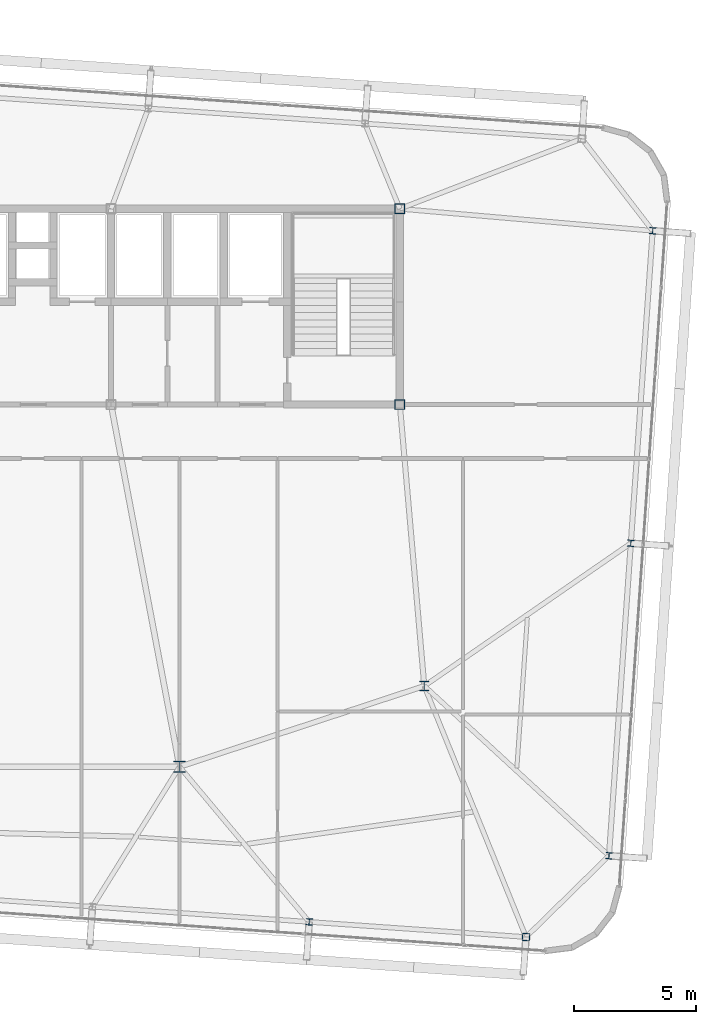
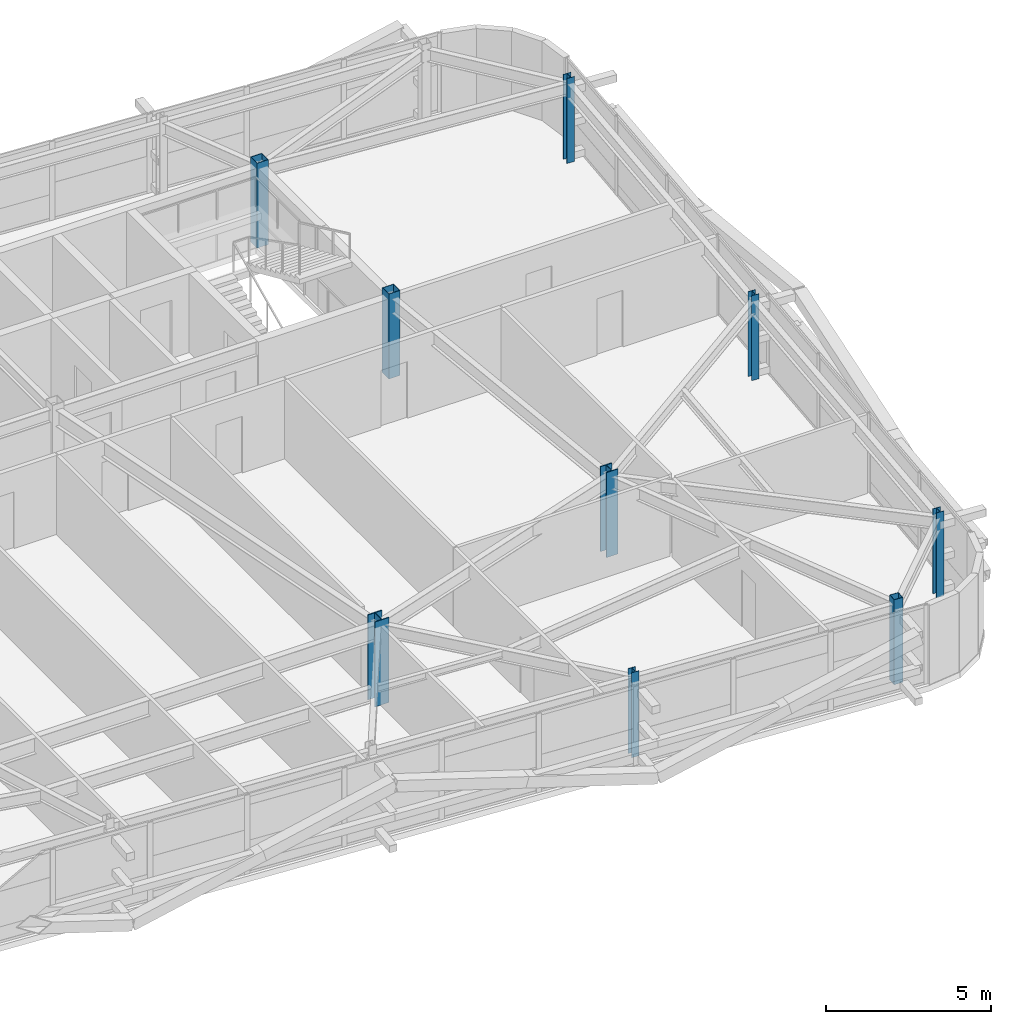
# One storey, part 3 of 47: 9 columns.
"""IFC4 building model written with IfcOpenShell, lengths in metres."""

from ifc_helpers import new_model, si_unit, direction, frame, origin, origin_2d, place, context, subcontext, project, spatial, hollow_rectangle, i_section, extrude, source, transform, mapped, material, material_profile, profile_set, type_object, element, save


model = new_model("IFC4")

# Units and contexts
model_context = context("Model", 3, precision=1e-05, world=origin(), true_north=direction((0.0, 1.0)))
body_context = subcontext(model_context, "Body", "Model", "MODEL_VIEW")
ifc_project = project(units=[si_unit("LENGTHUNIT", "METRE"), si_unit("AREAUNIT", "SQUARE_METRE"), si_unit("VOLUMEUNIT", "CUBIC_METRE"), si_unit("PLANEANGLEUNIT", "RADIAN"), si_unit("MASSUNIT", "GRAM", prefix="KILO")], contexts=[model_context])

# Site, building, storey
site_placement = place(None, origin())
site = spatial("IfcSite", under=ifc_project, at=site_placement, CompositionType="ELEMENT")
building_placement = place(site_placement, origin())
building = spatial("IfcBuilding", under=site, at=building_placement, Name="Taldren Reach Tower", CompositionType="ELEMENT")
storey_placement = place(building_placement, frame((0.0, 0.0, 139.300048828125)))
storey = spatial("IfcBuildingStorey", under=building, at=storey_placement, Name="L42", CompositionType="ELEMENT", Elevation=139.300048828125)

# Columns
ifc_material_1 = material(Name="Steel Gr 350 (350PLUS)", Category="steel")
ifc_material_profile_1 = material_profile(ifc_material_1, i_section(OverallWidth=0.39990234375, OverallDepth=0.39599609375, WebThickness=0.02197265625, FlangeThickness=0.033935546875, at=origin_2d()), Name="400WC270")
ifc_profile_set_1 = profile_set([ifc_material_profile_1], Name="Steel Gr 350 (350PLUS)")
column_type_1 = type_object("IfcColumnType", Name="COL-WC400", PredefinedType="COLUMN", material=ifc_profile_set_1)
shared_shape_1 = source(origin(), body_context, "Body", "SweptSolid", [
    extrude(i_section(OverallWidth=0.39990234375, OverallDepth=0.39599609375, WebThickness=0.02197265625, FlangeThickness=0.033935546875, at=origin_2d()), origin(), (0.0, 0.0, 1.0), 3.14990234375),
])
column_1_placement = place(storey_placement, frame((52.0, 12.5, 0.0), z_axis=(0.0, 0.0, 1.0), x_axis=(1.0, 0.0, 0.0)))
element("IfcColumn", 1, at=column_1_placement, inside=storey, type_object=column_type_1, Name="Mega column MC-SE L42", PredefinedType="COLUMN", context=body_context, shape_type="MappedRepresentation", body=[
    mapped(shared_shape_1, transform((0.0, 0.0, 0.0), scale=1.0)),
])
ifc_material_profile_2 = material_profile(ifc_material_1, i_section(OverallWidth=0.5, OverallDepth=0.464111328125, WebThickness=0.02197265625, FlangeThickness=0.033935546875, at=origin_2d()), Name="500WC340")
ifc_profile_set_2 = profile_set([ifc_material_profile_2], Name="Steel Gr 350 (350PLUS)")
column_type_2 = type_object("IfcColumnType", Name="COL-WC500B", PredefinedType="COLUMN", material=ifc_profile_set_2)
shared_shape_2 = source(origin(), body_context, "Body", "SweptSolid", [
    extrude(i_section(OverallWidth=0.5, OverallDepth=0.464111328125, WebThickness=0.02197265625, FlangeThickness=0.033935546875, at=origin_2d()), origin(), (0.0, 0.0, 1.0), 3.14990234375),
])
column_2_placement = place(storey_placement, frame((42.0, 9.199951171875, 0.0), z_axis=(0.0, 0.0, 1.0), x_axis=(1.0, 0.0, 0.0)))
element("IfcColumn", 2, at=column_2_placement, inside=storey, type_object=column_type_2, Name="Mega column MC-PJE L42", PredefinedType="COLUMN", context=body_context, shape_type="MappedRepresentation", body=[
    mapped(shared_shape_2, transform((0.0, 0.0, 0.0), scale=1.0)),
])
ifc_material_2 = material(Name="Steel Gr 450 (C450L0)", Category="steel")
ifc_material_profile_3 = material_profile(ifc_material_2, hollow_rectangle(XDim=0.39990234375, YDim=0.39990234375, WallThickness=0.01611328125, at=origin_2d()), Name="400x400x16.0SHS")
ifc_profile_set_3 = profile_set([ifc_material_profile_3], Name="Steel Gr 450 (C450L0)")
column_type_3 = type_object("IfcColumnType", Name="COL-SHS400", PredefinedType="COLUMN", material=ifc_profile_set_3)
shared_shape_3 = source(origin(), body_context, "Body", "SweptSolid", [
    extrude(hollow_rectangle(XDim=0.39990234375, YDim=0.39990234375, WallThickness=0.01611328125, at=origin_2d()), origin(), (0.0, 0.0, 1.0), 3.14990234375),
])
for number, where, z_axis, x_axis, name in (
    (3, (51.0, 24.0, 0.0), (0.0, 0.0, 1.0), (1.0, 0.0, 0.0), "Mega column MC-C4 L42"),
    (4, (51.0, 32.0, 0.0), (0.0, 0.0, 1.0), (1.0, 0.0, 0.0), "Mega column MC-C8 L42"),
):
    element("IfcColumn", number, at=place(storey_placement, frame(where, z_axis=z_axis, x_axis=x_axis)), inside=storey, type_object=column_type_3, Name=name, PredefinedType="COLUMN", context=body_context, shape_type="MappedRepresentation", body=[
        mapped(shared_shape_3, transform((0.0, 0.0, 0.0), scale=1.0)),
    ])
ifc_material_profile_4 = material_profile(ifc_material_2, hollow_rectangle(XDim=0.300048828125, YDim=0.300048828125, WallThickness=0.012451171875, at=origin_2d()), Name="300x300x12.5SHS")
ifc_profile_set_4 = profile_set([ifc_material_profile_4], Name="Steel Gr 450 (C450L0)")
column_type_4 = type_object("IfcColumnType", Name="COL-SHS300", PredefinedType="COLUMN", material=ifc_profile_set_4)
shared_shape_4 = source(origin(), body_context, "Body", "SweptSolid", [
    extrude(hollow_rectangle(XDim=0.300048828125, YDim=0.300048828125, WallThickness=0.012451171875, at=origin_2d()), origin(), (0.0, 0.0, 1.0), 3.14990234375),
])
column_3_placement = place(storey_placement, frame((56.155517578125, 2.2412109375, 0.0), z_axis=(0.0, 0.0, 1.0), x_axis=(0.99756405026, -0.069756473744, 0.0)))
element("IfcColumn", 5, at=column_3_placement, inside=storey, type_object=column_type_4, Name="Block B3 perimeter column S6 L42", PredefinedType="COLUMN", context=body_context, shape_type="MappedRepresentation", body=[
    mapped(shared_shape_4, transform((0.0, 0.0, 0.0), scale=1.0)),
])
ifc_material_profile_5 = material_profile(ifc_material_1, i_section(OverallWidth=0.256103515625, OverallDepth=0.260009765625, WebThickness=0.010498046875, FlangeThickness=0.017333984375, at=origin_2d()), Name="250UC89.5")
ifc_profile_set_5 = profile_set([ifc_material_profile_5], Name="Steel Gr 350 (350PLUS)")
column_type_5 = type_object("IfcColumnType", Name="COL-UC250", PredefinedType="COLUMN", material=ifc_profile_set_5)
shared_shape_5 = source(origin(), body_context, "Body", "SweptSolid", [
    extrude(i_section(OverallWidth=0.256103515625, OverallDepth=0.260009765625, WebThickness=0.010498046875, FlangeThickness=0.017333984375, at=origin_2d()), origin(), (0.0, 0.0, 1.0), 3.14990234375),
])
for number, where, z_axis, x_axis, name in (
    (6, (47.297119140625, 2.860595703125, 0.0), (0.0, 0.0, 1.0), (0.99756405026, -0.069756473744, 0.0), "Block B3 perimeter column S5 L42"),
    (7, (59.54541015625, 5.562744140625, 0.0), (0.0, 0.0, 1.0), (0.99756405026, -0.069756473744, 0.0), "Block B3 perimeter column E1 L42"),
    (8, (60.438232421875, 18.331787109375, 0.0), (0.0, 0.0, 1.0), (0.99756405026, -0.069756473744, 0.0), "Block B3 perimeter column E2 L42"),
    (9, (61.3310546875, 31.1005859375, 0.0), (0.0, 0.0, 1.0), (0.99756405026, -0.069756473744, 0.0), "Block B3 perimeter column E3 L42"),
):
    element("IfcColumn", number, at=place(storey_placement, frame(where, z_axis=z_axis, x_axis=x_axis)), inside=storey, type_object=column_type_5, Name=name, PredefinedType="COLUMN", context=body_context, shape_type="MappedRepresentation", body=[
        mapped(shared_shape_5, transform((0.0, 0.0, 0.0), scale=1.0)),
    ])

save(model, "model.ifc")
